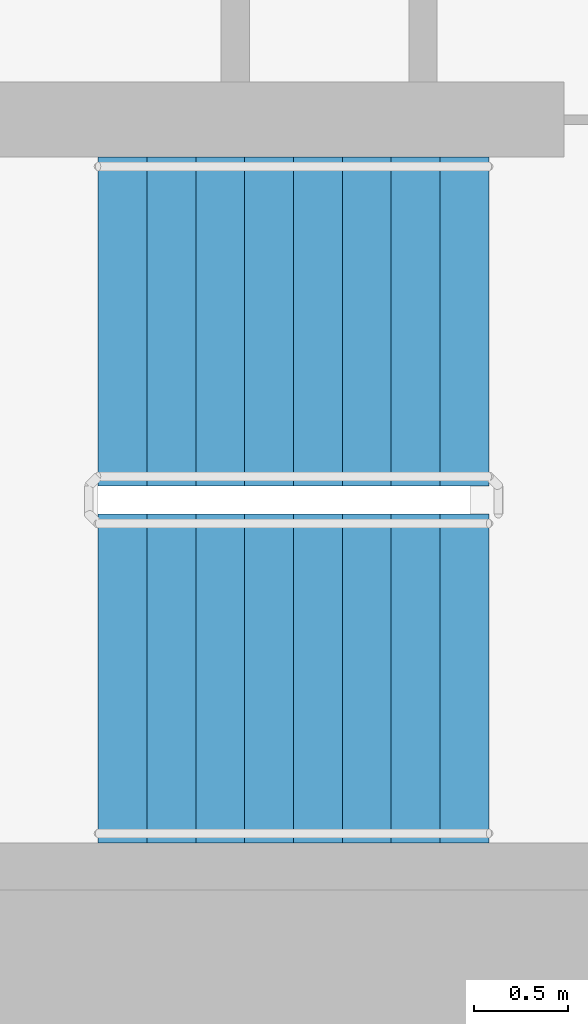
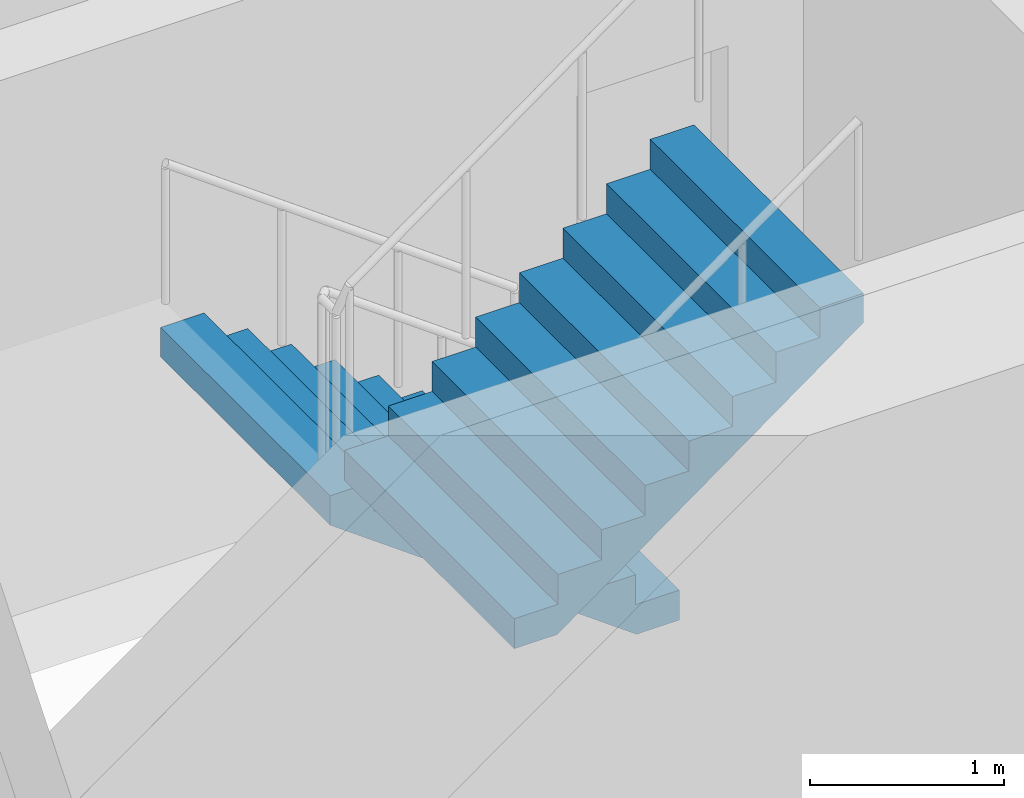
# One storey, part 15 of 21: 2 stair flights, 1 element without a shape of its own.
"""IFC4 building model written with IfcOpenShell, lengths in metres."""

from ifc_helpers import new_model, si_unit, direction, frame, origin, place, context, subcontext, project, spatial, faceted_brep, material, type_object, element, aggregate, save


model = new_model("IFC4")

# Units and contexts
model_context = context("Model", 3, precision=1e-05, world=origin(), true_north=direction((0.0, 1.0)))
body_context = subcontext(model_context, "Body", "Model", "MODEL_VIEW")
ifc_project = project(units=[si_unit("LENGTHUNIT", "METRE"), si_unit("AREAUNIT", "SQUARE_METRE"), si_unit("VOLUMEUNIT", "CUBIC_METRE"), si_unit("PLANEANGLEUNIT", "RADIAN"), si_unit("MASSUNIT", "GRAM", prefix="KILO")], contexts=[model_context])

# Site, building, storey
site_placement = place(None, origin())
site = spatial("IfcSite", under=ifc_project, at=site_placement, CompositionType="ELEMENT")
building_placement = place(site_placement, origin())
building = spatial("IfcBuilding", under=site, at=building_placement, Name="Ipe Terrace Towers", CompositionType="ELEMENT")
storey_placement = place(building_placement, frame((0.0, 0.0, 97.0)))
storey = spatial("IfcBuildingStorey", under=building, at=storey_placement, Name="L26", CompositionType="ELEMENT", Elevation=97.0)

# Stair, stair flights
ifc_material_1 = material(Name="Concrete C30/37", Category="concrete")
stair_type = type_object("IfcStairType", Name="Protected exit stair", PredefinedType="HALF_TURN_STAIR", material=ifc_material_1)
stair_placement = place(storey_placement, origin())
stair = element("IfcStair", 1, at=stair_placement, inside=storey, type_object=stair_type, Name="L26 Exit stair T1-C2", PredefinedType="HALF_TURN_STAIR")
ifc_material_2 = material(Name="Concrete C30/37", Category="concrete")
stair_flight_type = type_object("IfcStairFlightType", Name="Exit stair flight 1750", PredefinedType="STRAIGHT", material=ifc_material_2)
stair_flight_1_placement = place(storey_placement, frame((-45.699951171875, -2.77490234375, 0.0), z_axis=(0.0, 0.0, 1.0), x_axis=(-1.0, 0.0, 0.0)))
stair_flight_1 = element("IfcStairFlight", 2, at=stair_flight_1_placement, type_object=stair_flight_type, Name="T1-ST2 flight 1", NumberOfRisers=9, NumberOfTreads=8, PredefinedType="STRAIGHT", RiserHeight=0.188888889, TreadLength=0.26, context=body_context, shape_type="Brep", body=[
    faceted_brep([(0.255126953125, -0.875, 0.0), (2.080078125, -0.875, 1.325927734375), (2.080078125, -0.875, 1.51123046875), (1.820068359375, -0.875, 1.51123046875), (1.820068359375, -0.875, 1.322265625), (1.56005859375, -0.875, 1.322265625), (1.56005859375, -0.875, 1.13330078125), (1.300048828125, -0.875, 1.13330078125), (1.300048828125, -0.875, 0.9443359375), (1.0400390625, -0.875, 0.9443359375), (1.0400390625, -0.875, 0.755615234375), (0.780029296875, -0.875, 0.755615234375), (0.780029296875, -0.875, 0.566650390625), (0.52001953125, -0.875, 0.566650390625), (0.52001953125, -0.875, 0.377685546875), (0.260009765625, -0.875, 0.377685546875), (0.260009765625, -0.875, 0.18896484375), (0.0, -0.875, 0.18896484375), (0.0, -0.875, 0.0), (0.0, 0.875, 0.0), (0.0, 0.875, 0.18896484375), (0.260009765625, 0.875, 0.18896484375), (0.260009765625, 0.875, 0.377685546875), (0.52001953125, 0.875, 0.377685546875), (0.52001953125, 0.875, 0.566650390625), (0.780029296875, 0.875, 0.566650390625), (0.780029296875, 0.875, 0.755615234375), (1.0400390625, 0.875, 0.755615234375), (1.0400390625, 0.875, 0.9443359375), (1.300048828125, 0.875, 0.9443359375), (1.300048828125, 0.875, 1.13330078125), (1.56005859375, 0.875, 1.13330078125), (1.56005859375, 0.875, 1.322265625), (1.820068359375, 0.875, 1.322265625), (1.820068359375, 0.875, 1.51123046875), (2.080078125, 0.875, 1.51123046875), (2.080078125, 0.875, 1.325927734375), (0.255126953125, 0.875, 0.0), (0.0, -0.300048828125, 0.18896484375), (0.0, -0.1201171875, 0.18896484375), (0.0, -0.06005859375, 0.18896484375), (0.0, -0.030029296875, 0.18896484375), (0.0, -0.010009765625, 0.18896484375), (0.0, 0.0, 0.18896484375), (0.0, 0.010009765625, 0.18896484375), (0.0, 0.030029296875, 0.18896484375), (0.0, 0.06005859375, 0.18896484375), (0.0, 0.1201171875, 0.18896484375), (0.0, 0.300048828125, 0.18896484375), (0.0, 0.300048828125, 0.0), (0.0, 0.1201171875, 0.0), (0.0, 0.06005859375, 0.0), (0.0, 0.030029296875, 0.0), (0.0, 0.010009765625, 0.0), (0.0, 0.0, 0.0), (0.0, -0.010009765625, 0.0), (0.0, -0.030029296875, 0.0), (0.0, -0.06005859375, 0.0), (0.0, -0.1201171875, 0.0), (0.0, -0.300048828125, 0.0), (0.260009765625, -0.300048828125, 0.18896484375), (0.260009765625, -0.1201171875, 0.18896484375), (0.260009765625, -0.06005859375, 0.18896484375), (0.260009765625, -0.030029296875, 0.18896484375), (0.260009765625, -0.010009765625, 0.18896484375), (0.260009765625, 0.0, 0.18896484375), (0.260009765625, 0.010009765625, 0.18896484375), (0.260009765625, 0.030029296875, 0.18896484375), (0.260009765625, 0.06005859375, 0.18896484375), (0.260009765625, 0.1201171875, 0.18896484375), (0.260009765625, 0.300048828125, 0.18896484375), (0.260009765625, -0.300048828125, 0.377685546875), (0.260009765625, -0.1201171875, 0.377685546875), (0.260009765625, -0.06005859375, 0.377685546875), (0.260009765625, -0.030029296875, 0.377685546875), (0.260009765625, -0.010009765625, 0.377685546875), (0.260009765625, 0.0, 0.377685546875), (0.260009765625, 0.010009765625, 0.377685546875), (0.260009765625, 0.030029296875, 0.377685546875), (0.260009765625, 0.06005859375, 0.377685546875), (0.260009765625, 0.1201171875, 0.377685546875), (0.260009765625, 0.300048828125, 0.377685546875), (0.52001953125, -0.300048828125, 0.377685546875), (0.52001953125, -0.1201171875, 0.377685546875), (0.52001953125, -0.06005859375, 0.377685546875), (0.52001953125, -0.030029296875, 0.377685546875), (0.52001953125, -0.010009765625, 0.377685546875), (0.52001953125, 0.0, 0.377685546875), (0.52001953125, 0.010009765625, 0.377685546875), (0.52001953125, 0.030029296875, 0.377685546875), (0.52001953125, 0.06005859375, 0.377685546875), (0.52001953125, 0.1201171875, 0.377685546875), (0.52001953125, 0.300048828125, 0.377685546875), (0.52001953125, -0.300048828125, 0.566650390625), (0.52001953125, -0.1201171875, 0.566650390625), (0.52001953125, -0.06005859375, 0.566650390625), (0.52001953125, -0.030029296875, 0.566650390625), (0.52001953125, -0.010009765625, 0.566650390625), (0.52001953125, 0.0, 0.566650390625), (0.52001953125, 0.010009765625, 0.566650390625), (0.52001953125, 0.030029296875, 0.566650390625), (0.52001953125, 0.06005859375, 0.566650390625), (0.52001953125, 0.1201171875, 0.566650390625), (0.52001953125, 0.300048828125, 0.566650390625), (0.780029296875, -0.300048828125, 0.566650390625), (0.780029296875, -0.1201171875, 0.566650390625), (0.780029296875, -0.06005859375, 0.566650390625), (0.780029296875, -0.030029296875, 0.566650390625), (0.780029296875, -0.010009765625, 0.566650390625), (0.780029296875, 0.0, 0.566650390625), (0.780029296875, 0.010009765625, 0.566650390625), (0.780029296875, 0.030029296875, 0.566650390625), (0.780029296875, 0.06005859375, 0.566650390625), (0.780029296875, 0.1201171875, 0.566650390625), (0.780029296875, 0.300048828125, 0.566650390625), (0.780029296875, -0.300048828125, 0.755615234375), (0.780029296875, -0.1201171875, 0.755615234375), (0.780029296875, -0.06005859375, 0.755615234375), (0.780029296875, -0.030029296875, 0.755615234375), (0.780029296875, -0.010009765625, 0.755615234375), (0.780029296875, 0.0, 0.755615234375), (0.780029296875, 0.010009765625, 0.755615234375), (0.780029296875, 0.030029296875, 0.755615234375), (0.780029296875, 0.06005859375, 0.755615234375), (0.780029296875, 0.1201171875, 0.755615234375), (0.780029296875, 0.300048828125, 0.755615234375), (1.0400390625, -0.300048828125, 0.755615234375), (1.0400390625, -0.1201171875, 0.755615234375), (1.0400390625, -0.06005859375, 0.755615234375), (1.0400390625, -0.030029296875, 0.755615234375), (1.0400390625, -0.010009765625, 0.755615234375), (1.0400390625, 0.0, 0.755615234375), (1.0400390625, 0.010009765625, 0.755615234375), (1.0400390625, 0.030029296875, 0.755615234375), (1.0400390625, 0.06005859375, 0.755615234375), (1.0400390625, 0.1201171875, 0.755615234375), (1.0400390625, 0.300048828125, 0.755615234375), (1.0400390625, -0.300048828125, 0.9443359375), (1.0400390625, -0.1201171875, 0.9443359375), (1.0400390625, -0.06005859375, 0.9443359375), (1.0400390625, -0.030029296875, 0.9443359375), (1.0400390625, -0.010009765625, 0.9443359375), (1.0400390625, 0.0, 0.9443359375), (1.0400390625, 0.010009765625, 0.9443359375), (1.0400390625, 0.030029296875, 0.9443359375), (1.0400390625, 0.06005859375, 0.9443359375), (1.0400390625, 0.1201171875, 0.9443359375), (1.0400390625, 0.300048828125, 0.9443359375), (1.300048828125, -0.300048828125, 0.9443359375), (1.300048828125, -0.1201171875, 0.9443359375), (1.300048828125, -0.06005859375, 0.9443359375), (1.300048828125, -0.030029296875, 0.9443359375), (1.300048828125, -0.010009765625, 0.9443359375), (1.300048828125, 0.0, 0.9443359375), (1.300048828125, 0.010009765625, 0.9443359375), (1.300048828125, 0.030029296875, 0.9443359375), (1.300048828125, 0.06005859375, 0.9443359375), (1.300048828125, 0.1201171875, 0.9443359375), (1.300048828125, 0.300048828125, 0.9443359375), (1.300048828125, -0.300048828125, 1.13330078125), (1.300048828125, -0.1201171875, 1.13330078125), (1.300048828125, -0.06005859375, 1.13330078125), (1.300048828125, -0.030029296875, 1.13330078125), (1.300048828125, -0.010009765625, 1.13330078125), (1.300048828125, 0.0, 1.13330078125), (1.300048828125, 0.010009765625, 1.13330078125), (1.300048828125, 0.030029296875, 1.13330078125), (1.300048828125, 0.06005859375, 1.13330078125), (1.300048828125, 0.1201171875, 1.13330078125), (1.300048828125, 0.300048828125, 1.13330078125), (1.56005859375, -0.300048828125, 1.13330078125), (1.56005859375, -0.1201171875, 1.13330078125), (1.56005859375, -0.06005859375, 1.13330078125), (1.56005859375, -0.030029296875, 1.13330078125), (1.56005859375, -0.010009765625, 1.13330078125), (1.56005859375, 0.0, 1.13330078125), (1.56005859375, 0.010009765625, 1.13330078125), (1.56005859375, 0.030029296875, 1.13330078125), (1.56005859375, 0.06005859375, 1.13330078125), (1.56005859375, 0.1201171875, 1.13330078125), (1.56005859375, 0.300048828125, 1.13330078125), (1.56005859375, -0.300048828125, 1.322265625), (1.56005859375, -0.1201171875, 1.322265625), (1.56005859375, -0.06005859375, 1.322265625), (1.56005859375, -0.030029296875, 1.322265625), (1.56005859375, -0.010009765625, 1.322265625), (1.56005859375, 0.0, 1.322265625), (1.56005859375, 0.010009765625, 1.322265625), (1.56005859375, 0.030029296875, 1.322265625), (1.56005859375, 0.06005859375, 1.322265625), (1.56005859375, 0.1201171875, 1.322265625), (1.56005859375, 0.300048828125, 1.322265625), (1.820068359375, -0.300048828125, 1.322265625), (1.820068359375, -0.1201171875, 1.322265625), (1.820068359375, -0.06005859375, 1.322265625), (1.820068359375, -0.030029296875, 1.322265625), (1.820068359375, -0.010009765625, 1.322265625), (1.820068359375, 0.0, 1.322265625), (1.820068359375, 0.010009765625, 1.322265625), (1.820068359375, 0.030029296875, 1.322265625), (1.820068359375, 0.06005859375, 1.322265625), (1.820068359375, 0.1201171875, 1.322265625), (1.820068359375, 0.300048828125, 1.322265625), (1.820068359375, -0.300048828125, 1.51123046875), (1.820068359375, -0.1201171875, 1.51123046875), (1.820068359375, -0.06005859375, 1.51123046875), (1.820068359375, -0.030029296875, 1.51123046875), (1.820068359375, -0.010009765625, 1.51123046875), (1.820068359375, 0.0, 1.51123046875), (1.820068359375, 0.010009765625, 1.51123046875), (1.820068359375, 0.030029296875, 1.51123046875), (1.820068359375, 0.06005859375, 1.51123046875), (1.820068359375, 0.1201171875, 1.51123046875), (1.820068359375, 0.300048828125, 1.51123046875), (2.080078125, -0.300048828125, 1.51123046875), (2.080078125, -0.1201171875, 1.51123046875), (2.080078125, -0.06005859375, 1.51123046875), (2.080078125, -0.030029296875, 1.51123046875), (2.080078125, -0.010009765625, 1.51123046875), (2.080078125, 0.0, 1.51123046875), (2.080078125, 0.010009765625, 1.51123046875), (2.080078125, 0.030029296875, 1.51123046875), (2.080078125, 0.06005859375, 1.51123046875), (2.080078125, 0.1201171875, 1.51123046875), (2.080078125, 0.300048828125, 1.51123046875), (2.080078125, -0.300048828125, 1.325927734375), (2.080078125, -0.1201171875, 1.325927734375), (2.080078125, -0.06005859375, 1.325927734375), (2.080078125, -0.030029296875, 1.325927734375), (2.080078125, -0.010009765625, 1.325927734375), (2.080078125, 0.0, 1.325927734375), (2.080078125, 0.010009765625, 1.325927734375), (2.080078125, 0.030029296875, 1.325927734375), (2.080078125, 0.06005859375, 1.325927734375), (2.080078125, 0.1201171875, 1.325927734375), (2.080078125, 0.300048828125, 1.325927734375), (0.255126953125, -0.300048828125, 0.0), (0.255126953125, -0.1201171875, 0.0), (0.255126953125, -0.06005859375, 0.0), (0.255126953125, -0.030029296875, 0.0), (0.255126953125, -0.010009765625, 0.0), (0.255126953125, 0.0, 0.0), (0.255126953125, 0.010009765625, 0.0), (0.255126953125, 0.030029296875, 0.0), (0.255126953125, 0.06005859375, 0.0), (0.255126953125, 0.1201171875, 0.0), (0.255126953125, 0.300048828125, 0.0)], [[[0, 1, 2, 3, 4, 5, 6, 7, 8, 9, 10, 11, 12, 13, 14, 15, 16, 17, 18]], [[19, 20, 21, 22, 23, 24, 25, 26, 27, 28, 29, 30, 31, 32, 33, 34, 35, 36, 37]], [[17, 38, 39, 40, 41, 42, 43, 44, 45, 46, 47, 48, 20, 19, 49, 50, 51, 52, 53, 54, 55, 56, 57, 58, 59, 18]], [[16, 60, 61, 62, 63, 64, 65, 66, 67, 68, 69, 70, 21, 20, 48, 47, 46, 45, 44, 43, 42, 41, 40, 39, 38, 17]], [[15, 71, 72, 73, 74, 75, 76, 77, 78, 79, 80, 81, 22, 21, 70, 69, 68, 67, 66, 65, 64, 63, 62, 61, 60, 16]], [[14, 82, 83, 84, 85, 86, 87, 88, 89, 90, 91, 92, 23, 22, 81, 80, 79, 78, 77, 76, 75, 74, 73, 72, 71, 15]], [[13, 93, 94, 95, 96, 97, 98, 99, 100, 101, 102, 103, 24, 23, 92, 91, 90, 89, 88, 87, 86, 85, 84, 83, 82, 14]], [[12, 104, 105, 106, 107, 108, 109, 110, 111, 112, 113, 114, 25, 24, 103, 102, 101, 100, 99, 98, 97, 96, 95, 94, 93, 13]], [[11, 115, 116, 117, 118, 119, 120, 121, 122, 123, 124, 125, 26, 25, 114, 113, 112, 111, 110, 109, 108, 107, 106, 105, 104, 12]], [[10, 126, 127, 128, 129, 130, 131, 132, 133, 134, 135, 136, 27, 26, 125, 124, 123, 122, 121, 120, 119, 118, 117, 116, 115, 11]], [[9, 137, 138, 139, 140, 141, 142, 143, 144, 145, 146, 147, 28, 27, 136, 135, 134, 133, 132, 131, 130, 129, 128, 127, 126, 10]], [[8, 148, 149, 150, 151, 152, 153, 154, 155, 156, 157, 158, 29, 28, 147, 146, 145, 144, 143, 142, 141, 140, 139, 138, 137, 9]], [[7, 159, 160, 161, 162, 163, 164, 165, 166, 167, 168, 169, 30, 29, 158, 157, 156, 155, 154, 153, 152, 151, 150, 149, 148, 8]], [[6, 170, 171, 172, 173, 174, 175, 176, 177, 178, 179, 180, 31, 30, 169, 168, 167, 166, 165, 164, 163, 162, 161, 160, 159, 7]], [[5, 181, 182, 183, 184, 185, 186, 187, 188, 189, 190, 191, 32, 31, 180, 179, 178, 177, 176, 175, 174, 173, 172, 171, 170, 6]], [[4, 192, 193, 194, 195, 196, 197, 198, 199, 200, 201, 202, 33, 32, 191, 190, 189, 188, 187, 186, 185, 184, 183, 182, 181, 5]], [[3, 203, 204, 205, 206, 207, 208, 209, 210, 211, 212, 213, 34, 33, 202, 201, 200, 199, 198, 197, 196, 195, 194, 193, 192, 4]], [[2, 214, 215, 216, 217, 218, 219, 220, 221, 222, 223, 224, 35, 34, 213, 212, 211, 210, 209, 208, 207, 206, 205, 204, 203, 3]], [[1, 225, 226, 227, 228, 229, 230, 231, 232, 233, 234, 235, 36, 35, 224, 223, 222, 221, 220, 219, 218, 217, 216, 215, 214, 2]], [[0, 236, 237, 238, 239, 240, 241, 242, 243, 244, 245, 246, 37, 36, 235, 234, 233, 232, 231, 230, 229, 228, 227, 226, 225, 1]], [[18, 59, 58, 57, 56, 55, 54, 53, 52, 51, 50, 49, 19, 37, 246, 245, 244, 243, 242, 241, 240, 239, 238, 237, 236, 0]]]),
])
stair_flight_2_placement = place(storey_placement, frame((-47.780029296875, -4.675048828125, 1.699951171875), z_axis=(0.0, 0.0, 1.0), x_axis=(1.0, 0.0, 0.0)))
stair_flight_2 = element("IfcStairFlight", 3, at=stair_flight_2_placement, type_object=stair_flight_type, Name="T1-ST2 flight 2", NumberOfRisers=9, NumberOfTreads=8, PredefinedType="STRAIGHT", RiserHeight=0.188888889, TreadLength=0.26, context=body_context, shape_type="Brep", body=[
    faceted_brep([(0.255126953125, -0.875, 0.0), (2.080078125, -0.875, 1.325927734375), (2.080078125, -0.875, 1.51123046875), (1.820068359375, -0.875, 1.51123046875), (1.820068359375, -0.875, 1.322265625), (1.56005859375, -0.875, 1.322265625), (1.56005859375, -0.875, 1.13330078125), (1.300048828125, -0.875, 1.13330078125), (1.300048828125, -0.875, 0.9443359375), (1.0400390625, -0.875, 0.9443359375), (1.0400390625, -0.875, 0.755615234375), (0.780029296875, -0.875, 0.755615234375), (0.780029296875, -0.875, 0.566650390625), (0.52001953125, -0.875, 0.566650390625), (0.52001953125, -0.875, 0.377685546875), (0.260009765625, -0.875, 0.377685546875), (0.260009765625, -0.875, 0.18896484375), (0.0, -0.875, 0.18896484375), (0.0, -0.875, 0.0), (0.0, 0.875, 0.0), (0.0, 0.875, 0.18896484375), (0.260009765625, 0.875, 0.18896484375), (0.260009765625, 0.875, 0.377685546875), (0.52001953125, 0.875, 0.377685546875), (0.52001953125, 0.875, 0.566650390625), (0.780029296875, 0.875, 0.566650390625), (0.780029296875, 0.875, 0.755615234375), (1.0400390625, 0.875, 0.755615234375), (1.0400390625, 0.875, 0.9443359375), (1.300048828125, 0.875, 0.9443359375), (1.300048828125, 0.875, 1.13330078125), (1.56005859375, 0.875, 1.13330078125), (1.56005859375, 0.875, 1.322265625), (1.820068359375, 0.875, 1.322265625), (1.820068359375, 0.875, 1.51123046875), (2.080078125, 0.875, 1.51123046875), (2.080078125, 0.875, 1.325927734375), (0.255126953125, 0.875, 0.0), (0.0, -0.300048828125, 0.18896484375), (0.0, -0.1201171875, 0.18896484375), (0.0, -0.06005859375, 0.18896484375), (0.0, -0.030029296875, 0.18896484375), (0.0, -0.010009765625, 0.18896484375), (0.0, 0.0, 0.18896484375), (0.0, 0.010009765625, 0.18896484375), (0.0, 0.030029296875, 0.18896484375), (0.0, 0.06005859375, 0.18896484375), (0.0, 0.1201171875, 0.18896484375), (0.0, 0.300048828125, 0.18896484375), (0.0, 0.300048828125, 0.0), (0.0, 0.1201171875, 0.0), (0.0, 0.06005859375, 0.0), (0.0, 0.030029296875, 0.0), (0.0, 0.010009765625, 0.0), (0.0, 0.0, 0.0), (0.0, -0.010009765625, 0.0), (0.0, -0.030029296875, 0.0), (0.0, -0.06005859375, 0.0), (0.0, -0.1201171875, 0.0), (0.0, -0.300048828125, 0.0), (0.260009765625, -0.300048828125, 0.18896484375), (0.260009765625, -0.1201171875, 0.18896484375), (0.260009765625, -0.06005859375, 0.18896484375), (0.260009765625, -0.030029296875, 0.18896484375), (0.260009765625, -0.010009765625, 0.18896484375), (0.260009765625, 0.0, 0.18896484375), (0.260009765625, 0.010009765625, 0.18896484375), (0.260009765625, 0.030029296875, 0.18896484375), (0.260009765625, 0.06005859375, 0.18896484375), (0.260009765625, 0.1201171875, 0.18896484375), (0.260009765625, 0.300048828125, 0.18896484375), (0.260009765625, -0.300048828125, 0.377685546875), (0.260009765625, -0.1201171875, 0.377685546875), (0.260009765625, -0.06005859375, 0.377685546875), (0.260009765625, -0.030029296875, 0.377685546875), (0.260009765625, -0.010009765625, 0.377685546875), (0.260009765625, 0.0, 0.377685546875), (0.260009765625, 0.010009765625, 0.377685546875), (0.260009765625, 0.030029296875, 0.377685546875), (0.260009765625, 0.06005859375, 0.377685546875), (0.260009765625, 0.1201171875, 0.377685546875), (0.260009765625, 0.300048828125, 0.377685546875), (0.52001953125, -0.300048828125, 0.377685546875), (0.52001953125, -0.1201171875, 0.377685546875), (0.52001953125, -0.06005859375, 0.377685546875), (0.52001953125, -0.030029296875, 0.377685546875), (0.52001953125, -0.010009765625, 0.377685546875), (0.52001953125, 0.0, 0.377685546875), (0.52001953125, 0.010009765625, 0.377685546875), (0.52001953125, 0.030029296875, 0.377685546875), (0.52001953125, 0.06005859375, 0.377685546875), (0.52001953125, 0.1201171875, 0.377685546875), (0.52001953125, 0.300048828125, 0.377685546875), (0.52001953125, -0.300048828125, 0.566650390625), (0.52001953125, -0.1201171875, 0.566650390625), (0.52001953125, -0.06005859375, 0.566650390625), (0.52001953125, -0.030029296875, 0.566650390625), (0.52001953125, -0.010009765625, 0.566650390625), (0.52001953125, 0.0, 0.566650390625), (0.52001953125, 0.010009765625, 0.566650390625), (0.52001953125, 0.030029296875, 0.566650390625), (0.52001953125, 0.06005859375, 0.566650390625), (0.52001953125, 0.1201171875, 0.566650390625), (0.52001953125, 0.300048828125, 0.566650390625), (0.780029296875, -0.300048828125, 0.566650390625), (0.780029296875, -0.1201171875, 0.566650390625), (0.780029296875, -0.06005859375, 0.566650390625), (0.780029296875, -0.030029296875, 0.566650390625), (0.780029296875, -0.010009765625, 0.566650390625), (0.780029296875, 0.0, 0.566650390625), (0.780029296875, 0.010009765625, 0.566650390625), (0.780029296875, 0.030029296875, 0.566650390625), (0.780029296875, 0.06005859375, 0.566650390625), (0.780029296875, 0.1201171875, 0.566650390625), (0.780029296875, 0.300048828125, 0.566650390625), (0.780029296875, -0.300048828125, 0.755615234375), (0.780029296875, -0.1201171875, 0.755615234375), (0.780029296875, -0.06005859375, 0.755615234375), (0.780029296875, -0.030029296875, 0.755615234375), (0.780029296875, -0.010009765625, 0.755615234375), (0.780029296875, 0.0, 0.755615234375), (0.780029296875, 0.010009765625, 0.755615234375), (0.780029296875, 0.030029296875, 0.755615234375), (0.780029296875, 0.06005859375, 0.755615234375), (0.780029296875, 0.1201171875, 0.755615234375), (0.780029296875, 0.300048828125, 0.755615234375), (1.0400390625, -0.300048828125, 0.755615234375), (1.0400390625, -0.1201171875, 0.755615234375), (1.0400390625, -0.06005859375, 0.755615234375), (1.0400390625, -0.030029296875, 0.755615234375), (1.0400390625, -0.010009765625, 0.755615234375), (1.0400390625, 0.0, 0.755615234375), (1.0400390625, 0.010009765625, 0.755615234375), (1.0400390625, 0.030029296875, 0.755615234375), (1.0400390625, 0.06005859375, 0.755615234375), (1.0400390625, 0.1201171875, 0.755615234375), (1.0400390625, 0.300048828125, 0.755615234375), (1.0400390625, -0.300048828125, 0.9443359375), (1.0400390625, -0.1201171875, 0.9443359375), (1.0400390625, -0.06005859375, 0.9443359375), (1.0400390625, -0.030029296875, 0.9443359375), (1.0400390625, -0.010009765625, 0.9443359375), (1.0400390625, 0.0, 0.9443359375), (1.0400390625, 0.010009765625, 0.9443359375), (1.0400390625, 0.030029296875, 0.9443359375), (1.0400390625, 0.06005859375, 0.9443359375), (1.0400390625, 0.1201171875, 0.9443359375), (1.0400390625, 0.300048828125, 0.9443359375), (1.300048828125, -0.300048828125, 0.9443359375), (1.300048828125, -0.1201171875, 0.9443359375), (1.300048828125, -0.06005859375, 0.9443359375), (1.300048828125, -0.030029296875, 0.9443359375), (1.300048828125, -0.010009765625, 0.9443359375), (1.300048828125, 0.0, 0.9443359375), (1.300048828125, 0.010009765625, 0.9443359375), (1.300048828125, 0.030029296875, 0.9443359375), (1.300048828125, 0.06005859375, 0.9443359375), (1.300048828125, 0.1201171875, 0.9443359375), (1.300048828125, 0.300048828125, 0.9443359375), (1.300048828125, -0.300048828125, 1.13330078125), (1.300048828125, -0.1201171875, 1.13330078125), (1.300048828125, -0.06005859375, 1.13330078125), (1.300048828125, -0.030029296875, 1.13330078125), (1.300048828125, -0.010009765625, 1.13330078125), (1.300048828125, 0.0, 1.13330078125), (1.300048828125, 0.010009765625, 1.13330078125), (1.300048828125, 0.030029296875, 1.13330078125), (1.300048828125, 0.06005859375, 1.13330078125), (1.300048828125, 0.1201171875, 1.13330078125), (1.300048828125, 0.300048828125, 1.13330078125), (1.56005859375, -0.300048828125, 1.13330078125), (1.56005859375, -0.1201171875, 1.13330078125), (1.56005859375, -0.06005859375, 1.13330078125), (1.56005859375, -0.030029296875, 1.13330078125), (1.56005859375, -0.010009765625, 1.13330078125), (1.56005859375, 0.0, 1.13330078125), (1.56005859375, 0.010009765625, 1.13330078125), (1.56005859375, 0.030029296875, 1.13330078125), (1.56005859375, 0.06005859375, 1.13330078125), (1.56005859375, 0.1201171875, 1.13330078125), (1.56005859375, 0.300048828125, 1.13330078125), (1.56005859375, -0.300048828125, 1.322265625), (1.56005859375, -0.1201171875, 1.322265625), (1.56005859375, -0.06005859375, 1.322265625), (1.56005859375, -0.030029296875, 1.322265625), (1.56005859375, -0.010009765625, 1.322265625), (1.56005859375, 0.0, 1.322265625), (1.56005859375, 0.010009765625, 1.322265625), (1.56005859375, 0.030029296875, 1.322265625), (1.56005859375, 0.06005859375, 1.322265625), (1.56005859375, 0.1201171875, 1.322265625), (1.56005859375, 0.300048828125, 1.322265625), (1.820068359375, -0.300048828125, 1.322265625), (1.820068359375, -0.1201171875, 1.322265625), (1.820068359375, -0.06005859375, 1.322265625), (1.820068359375, -0.030029296875, 1.322265625), (1.820068359375, -0.010009765625, 1.322265625), (1.820068359375, 0.0, 1.322265625), (1.820068359375, 0.010009765625, 1.322265625), (1.820068359375, 0.030029296875, 1.322265625), (1.820068359375, 0.06005859375, 1.322265625), (1.820068359375, 0.1201171875, 1.322265625), (1.820068359375, 0.300048828125, 1.322265625), (1.820068359375, -0.300048828125, 1.51123046875), (1.820068359375, -0.1201171875, 1.51123046875), (1.820068359375, -0.06005859375, 1.51123046875), (1.820068359375, -0.030029296875, 1.51123046875), (1.820068359375, -0.010009765625, 1.51123046875), (1.820068359375, 0.0, 1.51123046875), (1.820068359375, 0.010009765625, 1.51123046875), (1.820068359375, 0.030029296875, 1.51123046875), (1.820068359375, 0.06005859375, 1.51123046875), (1.820068359375, 0.1201171875, 1.51123046875), (1.820068359375, 0.300048828125, 1.51123046875), (2.080078125, -0.300048828125, 1.51123046875), (2.080078125, -0.1201171875, 1.51123046875), (2.080078125, -0.06005859375, 1.51123046875), (2.080078125, -0.030029296875, 1.51123046875), (2.080078125, -0.010009765625, 1.51123046875), (2.080078125, 0.0, 1.51123046875), (2.080078125, 0.010009765625, 1.51123046875), (2.080078125, 0.030029296875, 1.51123046875), (2.080078125, 0.06005859375, 1.51123046875), (2.080078125, 0.1201171875, 1.51123046875), (2.080078125, 0.300048828125, 1.51123046875), (2.080078125, -0.300048828125, 1.325927734375), (2.080078125, -0.1201171875, 1.325927734375), (2.080078125, -0.06005859375, 1.325927734375), (2.080078125, -0.030029296875, 1.325927734375), (2.080078125, -0.010009765625, 1.325927734375), (2.080078125, 0.0, 1.325927734375), (2.080078125, 0.010009765625, 1.325927734375), (2.080078125, 0.030029296875, 1.325927734375), (2.080078125, 0.06005859375, 1.325927734375), (2.080078125, 0.1201171875, 1.325927734375), (2.080078125, 0.300048828125, 1.325927734375), (0.255126953125, -0.300048828125, 0.0), (0.255126953125, -0.1201171875, 0.0), (0.255126953125, -0.06005859375, 0.0), (0.255126953125, -0.030029296875, 0.0), (0.255126953125, -0.010009765625, 0.0), (0.255126953125, 0.0, 0.0), (0.255126953125, 0.010009765625, 0.0), (0.255126953125, 0.030029296875, 0.0), (0.255126953125, 0.06005859375, 0.0), (0.255126953125, 0.1201171875, 0.0), (0.255126953125, 0.300048828125, 0.0)], [[[0, 1, 2, 3, 4, 5, 6, 7, 8, 9, 10, 11, 12, 13, 14, 15, 16, 17, 18]], [[19, 20, 21, 22, 23, 24, 25, 26, 27, 28, 29, 30, 31, 32, 33, 34, 35, 36, 37]], [[17, 38, 39, 40, 41, 42, 43, 44, 45, 46, 47, 48, 20, 19, 49, 50, 51, 52, 53, 54, 55, 56, 57, 58, 59, 18]], [[16, 60, 61, 62, 63, 64, 65, 66, 67, 68, 69, 70, 21, 20, 48, 47, 46, 45, 44, 43, 42, 41, 40, 39, 38, 17]], [[15, 71, 72, 73, 74, 75, 76, 77, 78, 79, 80, 81, 22, 21, 70, 69, 68, 67, 66, 65, 64, 63, 62, 61, 60, 16]], [[14, 82, 83, 84, 85, 86, 87, 88, 89, 90, 91, 92, 23, 22, 81, 80, 79, 78, 77, 76, 75, 74, 73, 72, 71, 15]], [[13, 93, 94, 95, 96, 97, 98, 99, 100, 101, 102, 103, 24, 23, 92, 91, 90, 89, 88, 87, 86, 85, 84, 83, 82, 14]], [[12, 104, 105, 106, 107, 108, 109, 110, 111, 112, 113, 114, 25, 24, 103, 102, 101, 100, 99, 98, 97, 96, 95, 94, 93, 13]], [[11, 115, 116, 117, 118, 119, 120, 121, 122, 123, 124, 125, 26, 25, 114, 113, 112, 111, 110, 109, 108, 107, 106, 105, 104, 12]], [[10, 126, 127, 128, 129, 130, 131, 132, 133, 134, 135, 136, 27, 26, 125, 124, 123, 122, 121, 120, 119, 118, 117, 116, 115, 11]], [[9, 137, 138, 139, 140, 141, 142, 143, 144, 145, 146, 147, 28, 27, 136, 135, 134, 133, 132, 131, 130, 129, 128, 127, 126, 10]], [[8, 148, 149, 150, 151, 152, 153, 154, 155, 156, 157, 158, 29, 28, 147, 146, 145, 144, 143, 142, 141, 140, 139, 138, 137, 9]], [[7, 159, 160, 161, 162, 163, 164, 165, 166, 167, 168, 169, 30, 29, 158, 157, 156, 155, 154, 153, 152, 151, 150, 149, 148, 8]], [[6, 170, 171, 172, 173, 174, 175, 176, 177, 178, 179, 180, 31, 30, 169, 168, 167, 166, 165, 164, 163, 162, 161, 160, 159, 7]], [[5, 181, 182, 183, 184, 185, 186, 187, 188, 189, 190, 191, 32, 31, 180, 179, 178, 177, 176, 175, 174, 173, 172, 171, 170, 6]], [[4, 192, 193, 194, 195, 196, 197, 198, 199, 200, 201, 202, 33, 32, 191, 190, 189, 188, 187, 186, 185, 184, 183, 182, 181, 5]], [[3, 203, 204, 205, 206, 207, 208, 209, 210, 211, 212, 213, 34, 33, 202, 201, 200, 199, 198, 197, 196, 195, 194, 193, 192, 4]], [[2, 214, 215, 216, 217, 218, 219, 220, 221, 222, 223, 224, 35, 34, 213, 212, 211, 210, 209, 208, 207, 206, 205, 204, 203, 3]], [[1, 225, 226, 227, 228, 229, 230, 231, 232, 233, 234, 235, 36, 35, 224, 223, 222, 221, 220, 219, 218, 217, 216, 215, 214, 2]], [[0, 236, 237, 238, 239, 240, 241, 242, 243, 244, 245, 246, 37, 36, 235, 234, 233, 232, 231, 230, 229, 228, 227, 226, 225, 1]], [[18, 59, 58, 57, 56, 55, 54, 53, 52, 51, 50, 49, 19, 37, 246, 245, 244, 243, 242, 241, 240, 239, 238, 237, 236, 0]]]),
])
aggregate(stair, [stair_flight_1, stair_flight_2])

save(model, "model.ifc")
